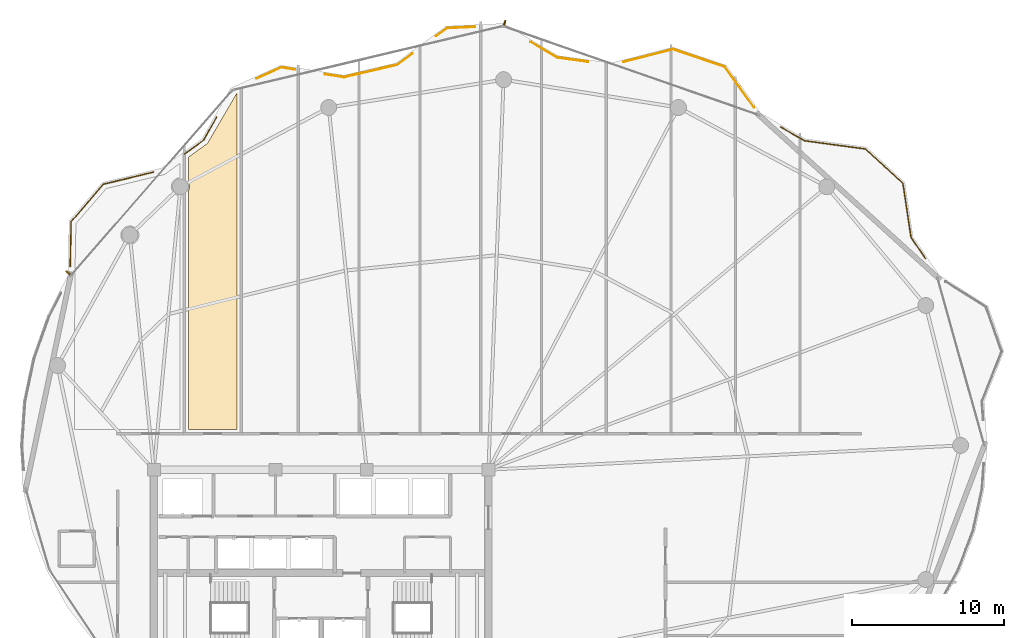
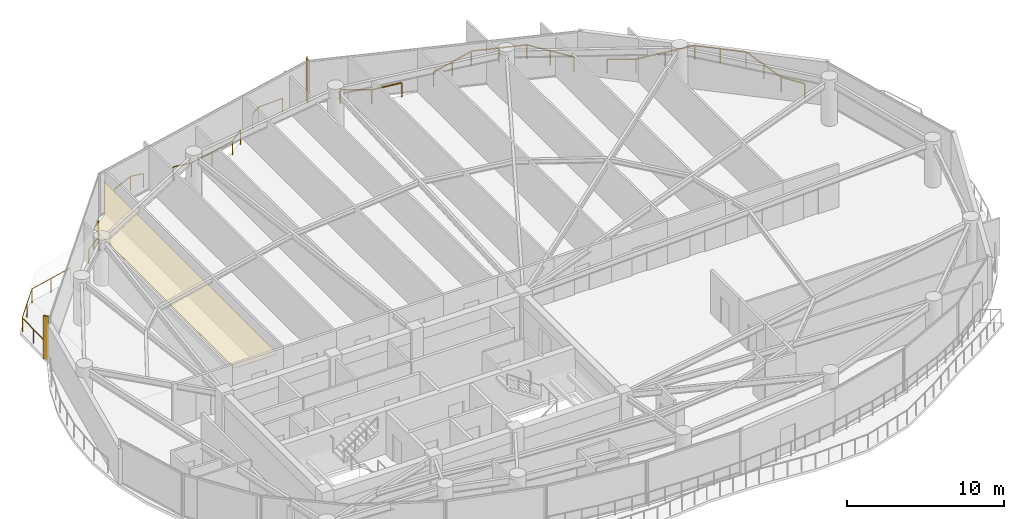
# One storey, part 29 of 29: 8 railings, 2 shading devices, 1 covering.
"""IFC4 building model written with IfcOpenShell, lengths in metres."""

from ifc_helpers import new_model, si_unit, direction, frame, origin, origin_2d, place, context, subcontext, project, spatial, polyline, rectangle, outline, extrude, material, layer, layer_set, type_object, element, save


model = new_model("IFC4")

# Units and contexts
model_context = context("Model", 3, precision=1e-05, world=origin(), true_north=direction((0.0, 1.0)))
body_context = subcontext(model_context, "Body", "Model", "MODEL_VIEW")
ifc_project = project(units=[si_unit("LENGTHUNIT", "METRE"), si_unit("AREAUNIT", "SQUARE_METRE"), si_unit("VOLUMEUNIT", "CUBIC_METRE"), si_unit("PLANEANGLEUNIT", "RADIAN"), si_unit("MASSUNIT", "GRAM", prefix="KILO")], contexts=[model_context])

# Site, building, storey
site_placement = place(None, origin())
site = spatial("IfcSite", under=ifc_project, at=site_placement, CompositionType="ELEMENT")
building_placement = place(site_placement, origin())
building = spatial("IfcBuilding", under=site, at=building_placement, Name="Kazevale Care Tower and Concert Hall", CompositionType="ELEMENT")
storey_placement = place(building_placement, frame((0.0, 0.0, 195.60009765625)))
storey = spatial("IfcBuildingStorey", under=building, at=storey_placement, Name="L51", CompositionType="ELEMENT", Elevation=195.60009765625)

# Covering
ifc_material_1 = material(Name="Acoustic Plaster and Hinoki Wood", Category="wood")
ifc_layer = layer(ifc_material_1, 0.0400390625)
ifc_layer_set = layer_set([ifc_layer], Name="Acoustic Plaster and Hinoki Wood")
covering_type = type_object("IfcCoveringType", Name="Acoustic Perforated Wood-Gypsum Ceiling", PredefinedType="CEILING", material=ifc_layer_set)
covering_placement = place(storey_placement, frame((0.0, 0.0, 2.7099609375)))
element("IfcCovering", 1, at=covering_placement, inside=storey, type_object=covering_type, Name="clg:L51:2", PredefinedType="CEILING", context=body_context, shape_type="SweptSolid", body=[
    extrude(outline(polyline([(27.469970703125, 61.18505859375), (27.469970703125, 39.054931640625), (24.280029296875, 39.054931640625), (24.280029296875, 54.72412109375), (24.35498046875, 55.010009765625), (24.280029296875, 55.2958984375), (24.280029296875, 56.9560546875), (25.52490234375, 57.85791015625), (27.469970703125, 61.18505859375)])), origin(), (0.0, 0.0, 1.0), 0.0400390625),
])

# Railings
ifc_material_2 = material(Name="Anodised Bronze Aluminium and Laminated Glass", Category="aluminium")
railing_type = type_object("IfcRailingType", Name="Balcony and Terrace Balustrade 1120", PredefinedType="BALUSTRADE", material=ifc_material_2)
railing_1_placement = place(storey_placement, frame((16.5009765625, 49.77392578125, 0.0)))
element("IfcRailing", 2, at=railing_1_placement, inside=storey, type_object=railing_type, Name="rail:L51:perim:2", PredefinedType="BALUSTRADE", context=body_context, shape_type="SweptSolid", body=[
    extrude(rectangle(XDim=0.048095703125, YDim=0.048095703125, at=origin_2d()), frame((0.0, 0.0, 1.09619140625), z_axis=(0.020776893953, 0.99978413704, 0.0), x_axis=(-0.99978413704, 0.020776893953, 0.0)), (0.0, 0.0, 1.0), 2.937744140625),
    extrude(rectangle(XDim=0.048095703125, YDim=0.048095703125, at=origin_2d()), frame((0.06103515625, 2.93701171875, 1.09619140625), z_axis=(0.653442230106, 0.75697638795, 0.0), x_axis=(-0.75697638795, 0.653442230106, 0.0)), (0.0, 0.0, 1.0), 3.256591796875),
    extrude(rectangle(XDim=0.048095703125, YDim=0.048095703125, at=origin_2d()), frame((2.18896484375, 5.402099609375, 1.09619140625), z_axis=(0.972048614054, 0.234779666741, 0.0), x_axis=(-0.234779666741, 0.972048614054, 0.0)), (0.0, 0.0, 1.0), 3.373291015625),
    extrude(rectangle(XDim=0.0419921875, YDim=0.0419921875, at=origin_2d()), origin(), (0.0, 0.0, 1.0), 1.072021484375),
    extrude(rectangle(XDim=0.0419921875, YDim=0.0419921875, at=origin_2d()), frame((0.030517578125, 1.468505859375, 0.0)), (0.0, 0.0, 1.0), 1.072021484375),
    extrude(rectangle(XDim=0.0419921875, YDim=0.0419921875, at=origin_2d()), frame((0.06103515625, 2.93701171875, 0.0)), (0.0, 0.0, 1.0), 1.072021484375),
    extrude(rectangle(XDim=0.0419921875, YDim=0.0419921875, at=origin_2d()), frame((1.125, 4.16943359375, 0.0)), (0.0, 0.0, 1.0), 1.072021484375),
    extrude(rectangle(XDim=0.0419921875, YDim=0.0419921875, at=origin_2d()), frame((2.18896484375, 5.402099609375, 0.0)), (0.0, 0.0, 1.0), 1.072021484375),
    extrude(rectangle(XDim=0.0419921875, YDim=0.0419921875, at=origin_2d()), frame((3.82861328125, 5.798095703125, 0.0)), (0.0, 0.0, 1.0), 1.072021484375),
    extrude(rectangle(XDim=0.0419921875, YDim=0.0419921875, at=origin_2d()), frame((5.468017578125, 6.194091796875, 0.0)), (0.0, 0.0, 1.0), 1.072021484375),
])
railing_2_placement = place(storey_placement, frame((24.01708984375, 57.159912109375, 0.0)))
element("IfcRailing", 3, at=railing_2_placement, inside=storey, type_object=railing_type, Name="rail:L51:perim:3", PredefinedType="BALUSTRADE", context=body_context, shape_type="SweptSolid", body=[
    extrude(rectangle(XDim=0.048095703125, YDim=0.048095703125, at=origin_2d()), frame((0.0, 0.0, 1.09619140625), z_axis=(0.809493304449, 0.587129108504, 0.0), x_axis=(-0.587129108504, 0.809493304449, 0.0)), (0.0, 0.0, 1.0), 1.56005859375),
    extrude(rectangle(XDim=0.048095703125, YDim=0.048095703125, at=origin_2d()), frame((1.262939453125, 0.916015625, 1.09619140625), z_axis=(0.490315047546, 0.871545267987, 0.0), x_axis=(-0.871545267987, 0.490315047546, 0.0)), (0.0, 0.0, 1.0), 1.723388671875),
    extrude(rectangle(XDim=0.0419921875, YDim=0.0419921875, at=origin_2d()), origin(), (0.0, 0.0, 1.0), 1.072021484375),
    extrude(rectangle(XDim=0.0419921875, YDim=0.0419921875, at=origin_2d()), frame((1.262939453125, 0.916015625, 0.0)), (0.0, 0.0, 1.0), 1.072021484375),
    extrude(rectangle(XDim=0.0419921875, YDim=0.0419921875, at=origin_2d()), frame((2.10791015625, 2.41796875, 0.0)), (0.0, 0.0, 1.0), 1.072021484375),
])
railing_3_placement = place(storey_placement, frame((28.763916015625, 62.125, 0.0)))
element("IfcRailing", 4, at=railing_3_placement, inside=storey, type_object=railing_type, Name="rail:L51:perim:4", PredefinedType="BALUSTRADE", context=body_context, shape_type="SweptSolid", body=[
    extrude(rectangle(XDim=0.048095703125, YDim=0.048095703125, at=origin_2d()), frame((0.0, 0.0, 1.09619140625), z_axis=(0.91054113019, 0.413418492853, 0.0), x_axis=(-0.413418492853, 0.91054113019, 0.0)), (0.0, 0.0, 1.0), 1.7705078125),
    extrude(rectangle(XDim=0.048095703125, YDim=0.048095703125, at=origin_2d()), frame((1.612060546875, 0.73193359375, 1.09619140625), z_axis=(0.98790083214, -0.155086897758, 0.0), x_axis=(0.155086897758, 0.98790083214, 0.0)), (0.0, 0.0, 1.0), 0.902099609375),
    extrude(rectangle(XDim=0.0419921875, YDim=0.0419921875, at=origin_2d()), origin(), (0.0, 0.0, 1.0), 1.072021484375),
    extrude(rectangle(XDim=0.0419921875, YDim=0.0419921875, at=origin_2d()), frame((1.612060546875, 0.73193359375, 0.0)), (0.0, 0.0, 1.0), 1.072021484375),
    extrude(rectangle(XDim=0.0419921875, YDim=0.0419921875, at=origin_2d()), frame((2.503173828125, 0.592041015625, 0.0)), (0.0, 0.0, 1.0), 1.072021484375),
])
railing_4_placement = place(storey_placement, frame((33.2509765625, 62.406005859375, 0.0)))
element("IfcRailing", 5, at=railing_4_placement, inside=storey, type_object=railing_type, Name="rail:L51:perim:5", PredefinedType="BALUSTRADE", context=body_context, shape_type="SweptSolid", body=[
    extrude(rectangle(XDim=0.048095703125, YDim=0.048095703125, at=origin_2d()), frame((0.0, 0.0, 1.09619140625), z_axis=(0.987942088413, -0.154823867485, 0.0), x_axis=(0.154823867485, 0.987942088413, 0.0)), (0.0, 0.0, 1.0), 1.266357421875),
    extrude(rectangle(XDim=0.048095703125, YDim=0.048095703125, at=origin_2d()), frame((1.2509765625, -0.196044921875, 1.09619140625), z_axis=(0.973807958737, 0.227372072823, 0.0), x_axis=(-0.227372072823, 0.973807958737, 0.0)), (0.0, 0.0, 1.0), 3.57568359375),
    extrude(rectangle(XDim=0.048095703125, YDim=0.048095703125, at=origin_2d()), frame((4.73291015625, 0.616943359375, 1.09619140625), z_axis=(0.805798451747, 0.592189881003, 0.0), x_axis=(-0.592189881003, 0.805798451747, 0.0)), (0.0, 0.0, 1.0), 1.2548828125),
    extrude(rectangle(XDim=0.0419921875, YDim=0.0419921875, at=origin_2d()), origin(), (0.0, 0.0, 1.0), 1.072021484375),
    extrude(rectangle(XDim=0.0419921875, YDim=0.0419921875, at=origin_2d()), frame((1.2509765625, -0.196044921875, 0.0)), (0.0, 0.0, 1.0), 1.072021484375),
    extrude(rectangle(XDim=0.0419921875, YDim=0.0419921875, at=origin_2d()), frame((2.991943359375, 0.21044921875, 0.0)), (0.0, 0.0, 1.0), 1.072021484375),
    extrude(rectangle(XDim=0.0419921875, YDim=0.0419921875, at=origin_2d()), frame((4.73291015625, 0.616943359375, 0.0)), (0.0, 0.0, 1.0), 1.072021484375),
    extrude(rectangle(XDim=0.0419921875, YDim=0.0419921875, at=origin_2d()), frame((5.744140625, 1.360107421875, 0.0)), (0.0, 0.0, 1.0), 1.072021484375),
])
railing_5_placement = place(storey_placement, frame((40.56396484375, 64.9189453125, 0.0)))
element("IfcRailing", 6, at=railing_5_placement, inside=storey, type_object=railing_type, Name="rail:L51:perim:6", PredefinedType="BALUSTRADE", context=body_context, shape_type="SweptSolid", body=[
    extrude(rectangle(XDim=0.048095703125, YDim=0.048095703125, at=origin_2d()), frame((0.0, 0.0, 1.09619140625), z_axis=(0.805713579929, 0.592305349561, 0.0), x_axis=(-0.592305349561, 0.805713579929, 0.0)), (0.0, 0.0, 1.0), 0.876220703125),
    extrude(rectangle(XDim=0.048095703125, YDim=0.048095703125, at=origin_2d()), frame((0.7060546875, 0.51904296875, 1.09619140625), z_axis=(0.998940261438, 0.046025580694, 0.0), x_axis=(-0.046025580694, 0.998940261438, 0.0)), (0.0, 0.0, 1.0), 1.845947265625),
    extrude(rectangle(XDim=0.0419921875, YDim=0.0419921875, at=origin_2d()), origin(), (0.0, 0.0, 1.0), 1.072021484375),
    extrude(rectangle(XDim=0.0419921875, YDim=0.0419921875, at=origin_2d()), frame((0.7060546875, 0.51904296875, 0.0)), (0.0, 0.0, 1.0), 1.072021484375),
    extrude(rectangle(XDim=0.0419921875, YDim=0.0419921875, at=origin_2d()), frame((2.550048828125, 0.60400390625, 0.0)), (0.0, 0.0, 1.0), 1.072021484375),
])
railing_6_placement = place(storey_placement, frame((46.783935546875, 64.529052734375, 0.0)))
element("IfcRailing", 7, at=railing_6_placement, inside=storey, type_object=railing_type, Name="rail:L51:perim:7", PredefinedType="BALUSTRADE", context=body_context, shape_type="SweptSolid", body=[
    extrude(rectangle(XDim=0.048095703125, YDim=0.048095703125, at=origin_2d()), frame((0.0, 0.0, 1.09619140625), z_axis=(0.859958006391, -0.510364798202, 0.0), x_axis=(0.510364798202, 0.859958006391, 0.0)), (0.0, 0.0, 1.0), 2.010498046875),
    extrude(rectangle(XDim=0.048095703125, YDim=0.048095703125, at=origin_2d()), frame((1.72900390625, -1.026123046875, 1.09619140625), z_axis=(0.990617777662, -0.136661693898, 0.0), x_axis=(0.136661693898, 0.990617777662, 0.0)), (0.0, 0.0, 1.0), 2.0400390625),
    extrude(rectangle(XDim=0.0419921875, YDim=0.0419921875, at=origin_2d()), origin(), (0.0, 0.0, 1.0), 1.072021484375),
    extrude(rectangle(XDim=0.0419921875, YDim=0.0419921875, at=origin_2d()), frame((1.72900390625, -1.026123046875, 0.0)), (0.0, 0.0, 1.0), 1.072021484375),
    extrude(rectangle(XDim=0.0419921875, YDim=0.0419921875, at=origin_2d()), frame((3.75, -1.304931640625, 0.0)), (0.0, 0.0, 1.0), 1.072021484375),
])
railing_7_placement = place(storey_placement, frame((52.8779296875, 63.212890625, 0.0)))
element("IfcRailing", 8, at=railing_7_placement, inside=storey, type_object=railing_type, Name="rail:L51:perim:8", PredefinedType="BALUSTRADE", context=body_context, shape_type="SweptSolid", body=[
    extrude(rectangle(XDim=0.048095703125, YDim=0.048095703125, at=origin_2d()), frame((0.0, 0.0, 1.09619140625), z_axis=(0.968841143246, 0.24768294078, 0.0), x_axis=(-0.24768294078, 0.968841143246, 0.0)), (0.0, 0.0, 1.0), 3.3681640625),
    extrude(rectangle(XDim=0.048095703125, YDim=0.048095703125, at=origin_2d()), frame((3.26318359375, 0.834228515625, 1.09619140625), z_axis=(0.946598937376, -0.322413479492, 0.0), x_axis=(0.322413479492, 0.946598937376, 0.0)), (0.0, 0.0, 1.0), 3.607421875),
    extrude(rectangle(XDim=0.048095703125, YDim=0.048095703125, at=origin_2d()), frame((6.677978515625, -0.328857421875, 1.09619140625), z_axis=(0.584785546416, -0.811187934269, 0.0), x_axis=(0.811187934269, 0.584785546416, 0.0)), (0.0, 0.0, 1.0), 3.26318359375),
    extrude(rectangle(XDim=0.0419921875, YDim=0.0419921875, at=origin_2d()), origin(), (0.0, 0.0, 1.0), 1.072021484375),
    extrude(rectangle(XDim=0.0419921875, YDim=0.0419921875, at=origin_2d()), frame((1.631591796875, 0.4169921875, 0.0)), (0.0, 0.0, 1.0), 1.072021484375),
    extrude(rectangle(XDim=0.0419921875, YDim=0.0419921875, at=origin_2d()), frame((3.26318359375, 0.834228515625, 0.0)), (0.0, 0.0, 1.0), 1.072021484375),
    extrude(rectangle(XDim=0.0419921875, YDim=0.0419921875, at=origin_2d()), frame((4.970703125, 0.252685546875, 0.0)), (0.0, 0.0, 1.0), 1.072021484375),
    extrude(rectangle(XDim=0.0419921875, YDim=0.0419921875, at=origin_2d()), frame((6.677978515625, -0.328857421875, 0.0)), (0.0, 0.0, 1.0), 1.072021484375),
    extrude(rectangle(XDim=0.0419921875, YDim=0.0419921875, at=origin_2d()), frame((7.632080078125, -1.65234375, 0.0)), (0.0, 0.0, 1.0), 1.072021484375),
    extrude(rectangle(XDim=0.0419921875, YDim=0.0419921875, at=origin_2d()), frame((8.586181640625, -2.975830078125, 0.0)), (0.0, 0.0, 1.0), 1.072021484375),
])
railing_8_placement = place(storey_placement, frame((63.200927734375, 58.946044921875, 0.0)))
element("IfcRailing", 9, at=railing_8_placement, inside=storey, type_object=railing_type, Name="rail:L51:perim:9", PredefinedType="BALUSTRADE", context=body_context, shape_type="SweptSolid", body=[
    extrude(rectangle(XDim=0.048095703125, YDim=0.048095703125, at=origin_2d()), frame((0.0, 0.0, 1.09619140625), z_axis=(0.866524193864, -0.49913507335, 0.0), x_axis=(0.49913507335, 0.866524193864, 0.0)), (0.0, 0.0, 1.0), 1.823486328125),
    extrude(rectangle(XDim=0.048095703125, YDim=0.048095703125, at=origin_2d()), frame((1.580078125, -0.91015625, 1.09619140625), z_axis=(0.990877699691, -0.134764180164, 0.0), x_axis=(0.134764180164, 0.990877699691, 0.0)), (0.0, 0.0, 1.0), 4.05810546875),
    extrude(rectangle(XDim=0.048095703125, YDim=0.048095703125, at=origin_2d()), frame((5.60107421875, -1.45703125, 1.09619140625), z_axis=(0.73603461898, -0.676943896983, 0.0), x_axis=(0.676943896983, 0.73603461898, 0.0)), (0.0, 0.0, 1.0), 3.334228515625),
    extrude(rectangle(XDim=0.048095703125, YDim=0.048095703125, at=origin_2d()), frame((8.05517578125, -3.714111328125, 1.09619140625), z_axis=(0.148940997459, -0.988846084725, 0.0), x_axis=(0.988846084725, 0.148940997459, 0.0)), (0.0, 0.0, 1.0), 3.597900390625),
    extrude(rectangle(XDim=0.048095703125, YDim=0.048095703125, at=origin_2d()), frame((8.591064453125, -7.27197265625, 1.09619140625), z_axis=(0.562761257822, -0.826619481197, 0.0), x_axis=(0.826619481197, 0.562761257822, 0.0)), (0.0, 0.0, 1.0), 1.671875),
    extrude(rectangle(XDim=0.0419921875, YDim=0.0419921875, at=origin_2d()), origin(), (0.0, 0.0, 1.0), 1.072021484375),
    extrude(rectangle(XDim=0.0419921875, YDim=0.0419921875, at=origin_2d()), frame((1.580078125, -0.91015625, 0.0)), (0.0, 0.0, 1.0), 1.072021484375),
    extrude(rectangle(XDim=0.0419921875, YDim=0.0419921875, at=origin_2d()), frame((3.590576171875, -1.18359375, 0.0)), (0.0, 0.0, 1.0), 1.072021484375),
    extrude(rectangle(XDim=0.0419921875, YDim=0.0419921875, at=origin_2d()), frame((5.60107421875, -1.45703125, 0.0)), (0.0, 0.0, 1.0), 1.072021484375),
    extrude(rectangle(XDim=0.0419921875, YDim=0.0419921875, at=origin_2d()), frame((6.828125, -2.58544921875, 0.0)), (0.0, 0.0, 1.0), 1.072021484375),
    extrude(rectangle(XDim=0.0419921875, YDim=0.0419921875, at=origin_2d()), frame((8.05517578125, -3.714111328125, 0.0)), (0.0, 0.0, 1.0), 1.072021484375),
    extrude(rectangle(XDim=0.0419921875, YDim=0.0419921875, at=origin_2d()), frame((8.3232421875, -5.4931640625, 0.0)), (0.0, 0.0, 1.0), 1.072021484375),
    extrude(rectangle(XDim=0.0419921875, YDim=0.0419921875, at=origin_2d()), frame((8.591064453125, -7.27197265625, 0.0)), (0.0, 0.0, 1.0), 1.072021484375),
    extrude(rectangle(XDim=0.0419921875, YDim=0.0419921875, at=origin_2d()), frame((9.531982421875, -8.654052734375, 0.0)), (0.0, 0.0, 1.0), 1.072021484375),
])

# Shading devices
ifc_material_3 = material(Name="Anodised Bronze Aluminium", Category="aluminium")
shading_device_type = type_object("IfcShadingDeviceType", Name="Waist Anodised Bronze-Stone Fin FIN-02", PredefinedType="USERDEFINED", material=ifc_material_3)
for number, where, z_axis, x_axis, name in (
    (10, (16.361328125, 49.347412109375, 0.0), (0.0, 0.0, 1.0), (-0.753792813636, 0.657112162503, 0.0), "cw:L51:f14:fin"),
    (11, (45.075927734375, 65.796630859375, 0.0), (0.0, 0.0, 1.0), (0.328536977169, 0.944491108816, 0.0), "cw:L51:f16:fin"),
):
    element("IfcShadingDevice", number, at=place(storey_placement, frame(where, z_axis=z_axis, x_axis=x_axis)), inside=storey, type_object=shading_device_type, Name=name, ObjectType="FIN", PredefinedType="USERDEFINED", context=body_context, shape_type="SweptSolid", body=[
        extrude(rectangle(XDim=0.340087890625, YDim=0.10009765625, at=origin_2d()), origin(), (0.0, 0.0, 1.0), 3.360107421875),
    ])

save(model, "model.ifc")
